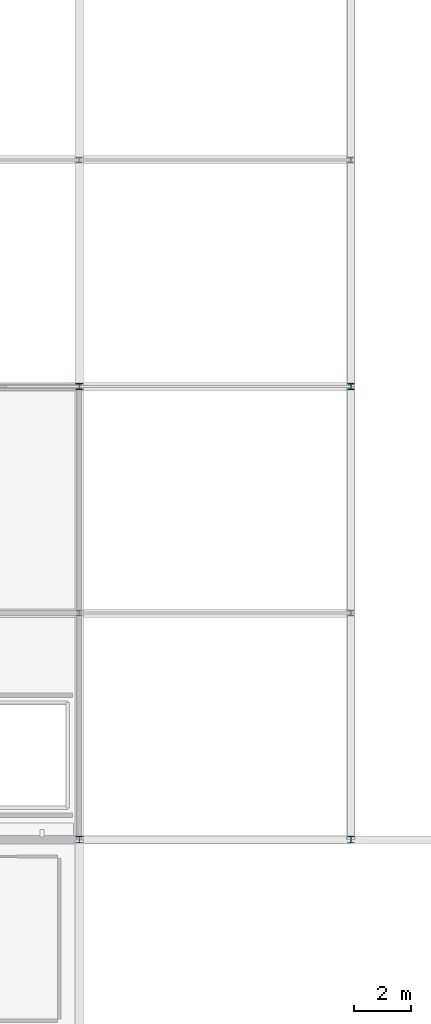
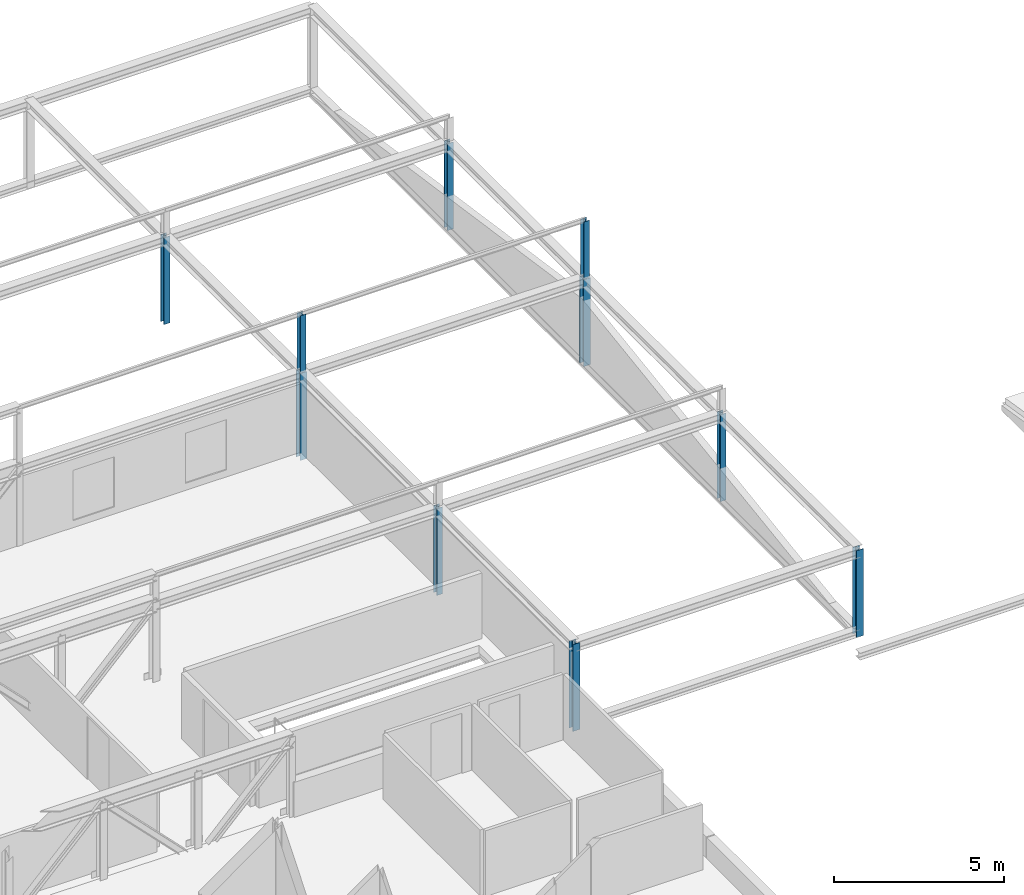
# One storey, part 6 of 34: 10 columns.
"""IFC4 building model written with IfcOpenShell, lengths in metres."""

from ifc_helpers import new_model, si_unit, direction, frame, origin, origin_2d, place, context, subcontext, project, spatial, i_section, extrude, material, material_profile, profile_set, type_object, element, save


model = new_model("IFC4")

# Units and contexts
model_context = context("Model", 3, precision=1e-05, world=origin(), true_north=direction((0.0, 1.0)))
body_context = subcontext(model_context, "Body", "Model", "MODEL_VIEW")
ifc_project = project(units=[si_unit("LENGTHUNIT", "METRE"), si_unit("AREAUNIT", "SQUARE_METRE"), si_unit("VOLUMEUNIT", "CUBIC_METRE"), si_unit("PLANEANGLEUNIT", "RADIAN"), si_unit("MASSUNIT", "GRAM", prefix="KILO")], contexts=[model_context])

# Site, building, storey
site_placement = place(None, origin())
site = spatial("IfcSite", under=ifc_project, at=site_placement, CompositionType="ELEMENT")
building_placement = place(site_placement, origin())
building = spatial("IfcBuilding", under=site, at=building_placement, Name="Alderhovde Museum", CompositionType="ELEMENT")
storey_placement = place(building_placement, frame((0.0, 0.0, 25.800048828125)))
storey = spatial("IfcBuildingStorey", under=building, at=storey_placement, Name="L05", CompositionType="ELEMENT", Elevation=25.800048828125)

# Columns
ifc_material_1 = material(Name="Steel S355J2", Category="steel")
ifc_material_profile_1 = material_profile(ifc_material_1, i_section(OverallWidth=0.199951171875, OverallDepth=0.18994140625, WebThickness=0.006591796875, FlangeThickness=0.010009765625, FilletRadius=0.01806640625, at=origin_2d()), Name="HEA 200")
ifc_profile_set_1 = profile_set([ifc_material_profile_1], Name="Steel S355J2")
column_type_1 = type_object("IfcColumnType", Name="COL-HEA200", PredefinedType="COLUMN", material=ifc_profile_set_1)
for number, where, z_axis, x_axis, name in (
    (1, (38.39990234375, 96.0, 2.849853515625), (0.0, 0.0, 1.0), (1.0, 0.0, 0.0), "Vol 4 Roof Post X=38.4 Y=96"),
    (2, (48.0, 96.0, 2.849853515625), (0.0, 0.0, 1.0), (1.0, 0.0, 0.0), "Vol 4 Roof Post X=48.0 Y=96"),
):
    element("IfcColumn", number, at=place(storey_placement, frame(where, z_axis=z_axis, x_axis=x_axis)), inside=storey, type_object=column_type_1, Name=name, PredefinedType="COLUMN", context=body_context, shape_type="SweptSolid", body=[
        extrude(i_section(OverallWidth=0.199951171875, OverallDepth=0.18994140625, WebThickness=0.006591796875, FlangeThickness=0.010009765625, FilletRadius=0.01806640625, at=origin_2d()), origin(), (0.0, 0.0, 1.0), 2.050048828125),
    ])
ifc_material_2 = material(Name="Steel S355J2", Category="steel")
ifc_material_profile_2 = material_profile(ifc_material_2, i_section(OverallWidth=0.239990234375, OverallDepth=0.22998046875, WebThickness=0.007568359375, FlangeThickness=0.011962890625, FilletRadius=0.02099609375, at=origin_2d()), Name="HEA 240")
ifc_profile_set_2 = profile_set([ifc_material_profile_2], Name="Steel S355J2")
column_type_2 = type_object("IfcColumnType", Name="COL-HEA240", PredefinedType="COLUMN", material=ifc_profile_set_2)
for number, where, z_axis, x_axis, name in (
    (3, (38.39990234375, 80.0, -0.260009765625), (0.0, 0.0, 1.0), (1.0, 0.0, 0.0), "L05 Column (38.4, 80.0)"),
    (4, (38.39990234375, 96.0, -0.260009765625), (0.0, 0.0, 1.0), (1.0, 0.0, 0.0), "L05 Column (38.4, 96.0)"),
    (5, (48.0, 80.0, -0.260009765625), (0.0, 0.0, 1.0), (1.0, 0.0, 0.0), "L05 Column (48.0, 80.0)"),
    (6, (48.0, 96.0, -0.260009765625), (0.0, 0.0, 1.0), (1.0, 0.0, 0.0), "L05 Column (48.0, 96.0)"),
):
    element("IfcColumn", number, at=place(storey_placement, frame(where, z_axis=z_axis, x_axis=x_axis)), inside=storey, type_object=column_type_2, Name=name, PredefinedType="COLUMN", context=body_context, shape_type="SweptSolid", body=[
        extrude(i_section(OverallWidth=0.239990234375, OverallDepth=0.22998046875, WebThickness=0.007568359375, FlangeThickness=0.011962890625, FilletRadius=0.02099609375, at=origin_2d()), origin(), (0.0, 0.0, 1.0), 3.10986328125),
    ])
ifc_material_3 = material(Name="Steel S355J2", Category="steel")
ifc_material_profile_3 = material_profile(ifc_material_3, i_section(OverallWidth=0.199951171875, OverallDepth=0.199951171875, WebThickness=0.009033203125, FlangeThickness=0.014892578125, FilletRadius=0.01806640625, at=origin_2d()), Name="HEB 200")
ifc_profile_set_3 = profile_set([ifc_material_profile_3], Name="Steel S355J2")
column_type_3 = type_object("IfcColumnType", Name="COL-HEB200", PredefinedType="COLUMN", material=ifc_profile_set_3)
for number, where, z_axis, x_axis, name in (
    (7, (38.39990234375, 88.0, -0.260009765625), (0.0, 0.0, 1.0), (1.0, 0.0, 0.0), "L05 Column (38.4, 88.0)"),
    (8, (38.39990234375, 104.0, -0.260009765625), (0.0, 0.0, 1.0), (1.0, 0.0, 0.0), "L05 Column (38.4, 104.0)"),
    (9, (48.0, 88.0, -0.260009765625), (0.0, 0.0, 1.0), (1.0, 0.0, 0.0), "L05 Column (48.0, 88.0)"),
    (10, (48.0, 104.0, -0.260009765625), (0.0, 0.0, 1.0), (1.0, 0.0, 0.0), "L05 Column (48.0, 104.0)"),
):
    element("IfcColumn", number, at=place(storey_placement, frame(where, z_axis=z_axis, x_axis=x_axis)), inside=storey, type_object=column_type_3, Name=name, PredefinedType="COLUMN", context=body_context, shape_type="SweptSolid", body=[
        extrude(i_section(OverallWidth=0.199951171875, OverallDepth=0.199951171875, WebThickness=0.009033203125, FlangeThickness=0.014892578125, FilletRadius=0.01806640625, at=origin_2d()), origin(), (0.0, 0.0, 1.0), 3.10986328125),
    ])

save(model, "model.ifc")
